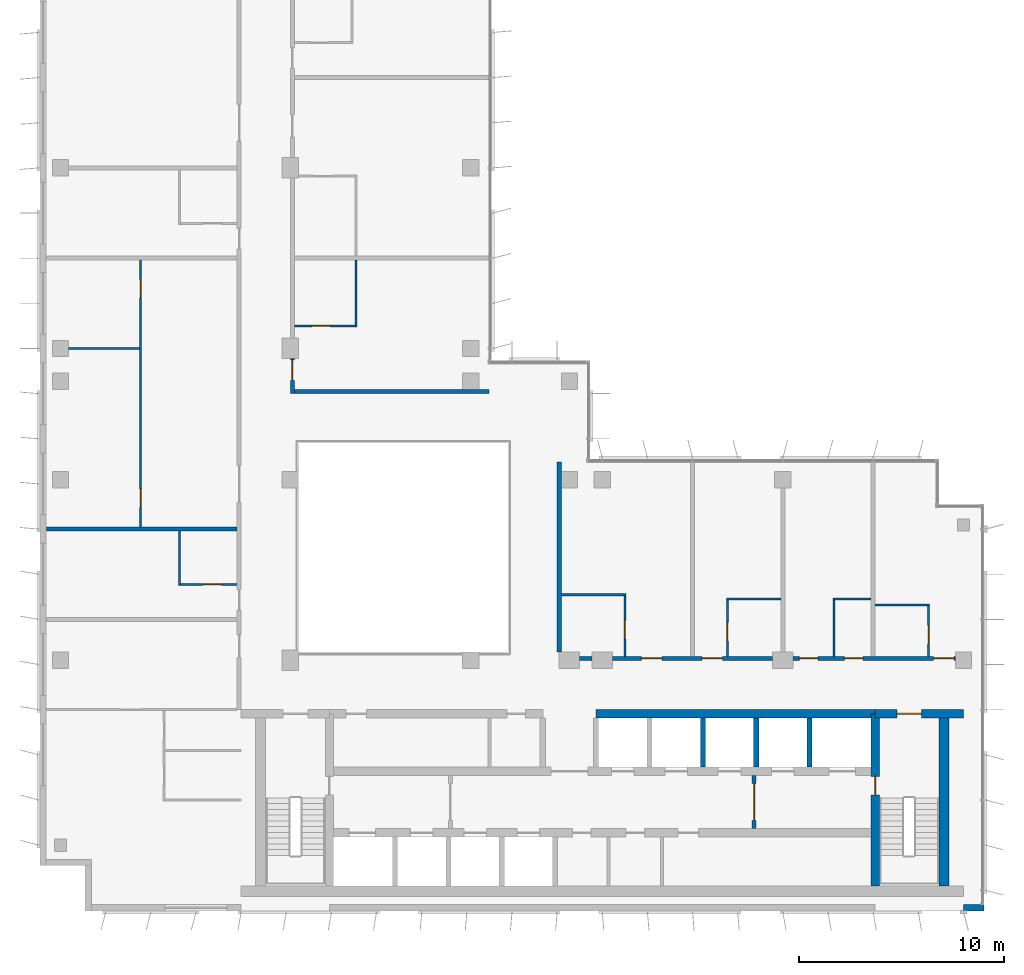
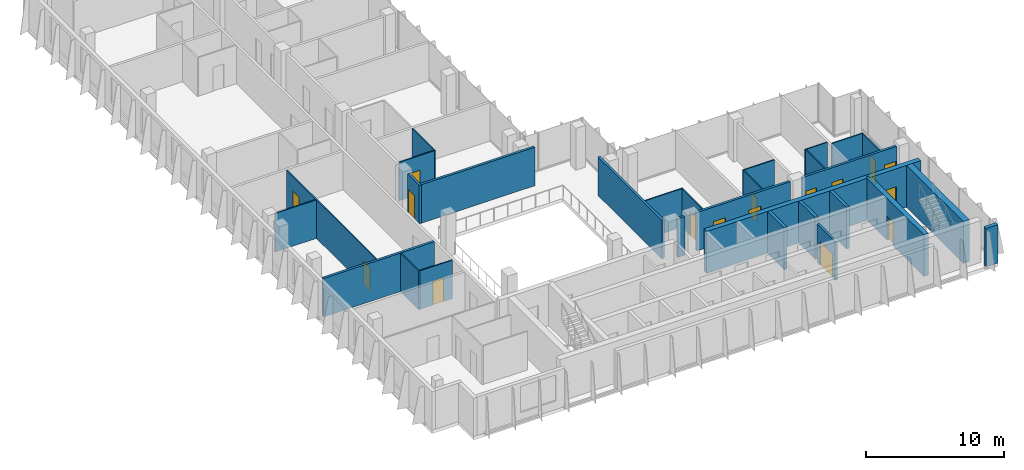
# One storey, part 10 of 15: 30 walls, 16 doors, 16 openings.
"""IFC4 building model written with IfcOpenShell, lengths in metres."""

from ifc_helpers import new_model, si_unit, direction, frame, frame_2d, origin, place, context, subcontext, project, spatial, rectangle, extrude, material, layer, layer_set, type_object, element, fill, save


model = new_model("IFC4")

# Units and contexts
model_context = context("Model", 3, precision=1e-05, world=origin(), true_north=direction((0.0, 1.0)))
body_context = subcontext(model_context, "Body", "Model", "MODEL_VIEW")
ifc_project = project(units=[si_unit("LENGTHUNIT", "METRE"), si_unit("AREAUNIT", "SQUARE_METRE"), si_unit("VOLUMEUNIT", "CUBIC_METRE"), si_unit("PLANEANGLEUNIT", "RADIAN"), si_unit("MASSUNIT", "GRAM", prefix="KILO")], contexts=[model_context])

# Site, building, storey
site_placement = place(None, origin())
site = spatial("IfcSite", under=ifc_project, at=site_placement, CompositionType="ELEMENT")
building_placement = place(site_placement, origin())
building = spatial("IfcBuilding", under=site, at=building_placement, Name="Kemantara Hotel Tower", CompositionType="ELEMENT")
storey_placement = place(building_placement, frame((0.0, 0.0, 279.60009765625)))
storey = spatial("IfcBuildingStorey", under=building, at=storey_placement, Name="L70", CompositionType="ELEMENT", Elevation=279.60009765625)

# Walls
ifc_material_1 = material(Name="Bronze anodised aluminium cladding on insulated steel stud wall", Category="steel")
ifc_layer_1 = layer(ifc_material_1, 0.300048828125)
ifc_layer_set_1 = layer_set([ifc_layer_1], Name="Bronze anodised aluminium cladding on insulated steel stud wall")
wall_type_1 = type_object("IfcWallType", Name="BRONZE METAL-CLAD EXTERNAL WALL 300", PredefinedType="STANDARD", material=ifc_layer_set_1)
wall_1_placement = place(storey_placement, frame((45.0, 0.14990234375, 0.0), z_axis=(0.0, 0.0, 1.0), x_axis=(1.0, 0.0, 0.0)))
element("IfcWall", 1, at=wall_1_placement, inside=storey, type_object=wall_type_1, Name="EXTERNAL WALL L70 T4-R08-3", PredefinedType="STANDARD", context=body_context, shape_type="SweptSolid", body=[
    extrude(rectangle(XDim=1.0, YDim=0.300048828125, at=frame_2d((0.5, 0.0))), origin(), (0.0, 0.0, 1.0), 3.39990234375),
])
ifc_material_2 = material(Name="Concrete fc 50 MPa", Category="concrete")
ifc_layer_2 = layer(ifc_material_2, 0.25)
ifc_layer_set_2 = layer_set([ifc_layer_2], Name="Concrete fc 50 MPa")
wall_type_2 = type_object("IfcWallType", Name="CORE WALL 250 FC50", PredefinedType="SHEAR", material=ifc_layer_set_2)
for number, where, z_axis, x_axis, name in (
    (2, (32.300048828125, 7.0, 0.0), (0.0, 0.0, 1.0), (0.0, 1.0, 0.0), "CORE WALL CW-DN32.3"),
    (3, (34.89990234375, 7.0, 0.0), (0.0, 0.0, 1.0), (0.0, 1.0, 0.0), "CORE WALL CW-DN34.9"),
    (4, (37.5, 7.0, 0.0), (0.0, 0.0, 1.0), (0.0, 1.0, 0.0), "CORE WALL CW-DN37.5"),
):
    element("IfcWall", number, at=place(storey_placement, frame(where, z_axis=z_axis, x_axis=x_axis)), inside=storey, type_object=wall_type_2, Name=name, PredefinedType="SHEAR", context=body_context, shape_type="SweptSolid", body=[
        extrude(rectangle(XDim=2.39990234375, YDim=0.25, at=frame_2d((1.199951171875, 0.0))), origin(), (0.0, 0.0, 1.0), 3.699951171875),
    ])

# Wall, opening, door
ifc_layer_3 = layer(ifc_material_2, 0.39990234375)
ifc_layer_set_3 = layer_set([ifc_layer_3], Name="Concrete fc 50 MPa")
wall_type_3 = type_object("IfcWallType", Name="CORE WALL 400 FC50", PredefinedType="SHEAR", material=ifc_layer_set_3)
wall_2_placement = place(storey_placement, frame((40.699951171875, 9.60009765625, 0.0), z_axis=(0.0, 0.0, 1.0), x_axis=(1.0, 0.0, 0.0)))
wall_2 = element("IfcWall", 5, at=wall_2_placement, inside=storey, type_object=wall_type_3, Name="CORE WALL CW-N2", PredefinedType="SHEAR", context=body_context, shape_type="SweptSolid", body=[
    extrude(rectangle(XDim=4.300048828125, YDim=0.39990234375, at=frame_2d((2.14990234375, 0.0))), origin(), (0.0, 0.0, 1.0), 3.699951171875),
])
opening_1_placement = place(wall_2_placement, frame((1.050048828125, 0.0, 0.0)))
opening_1 = element("IfcOpeningElement", 6, at=opening_1_placement, cuts=wall_2, Name="Opening C40-ST2-C", PredefinedType="OPENING", context=body_context, shape_type="SweptSolid", body=[
    extrude(rectangle(XDim=1.199951171875, YDim=2.10009765625, at=frame_2d((0.60009765625, 1.050048828125))), frame((0.0, 0.2099609375, 0.0), z_axis=(0.0, -1.0, 0.0), x_axis=(1.0, 0.0, 0.0)), (0.0, 0.0, 1.0), 0.419921875),
])
ifc_material_3 = material(Name="Steel fire door", Category="steel")
door_type_1 = type_object("IfcDoorType", Name="Fire door FD90 1200 x 2100", OperationType="NOTDEFINED", PredefinedType="DOOR", material=ifc_material_3)
door_1_placement = place(opening_1_placement, frame((1.199951171875, 0.0, 0.0), z_axis=(0.0, 0.0, 1.0), x_axis=(-1.0, 0.0, 0.0)))
door_1 = element("IfcDoor", 7, at=door_1_placement, inside=storey, type_object=door_type_1, Name="Stair ST2 door to corridor", OperationType="SINGLE_SWING_RIGHT", OverallHeight=2.10009765625, OverallWidth=1.199951171875, PredefinedType="DOOR", context=body_context, shape_type="SweptSolid", body=[
    extrude(rectangle(XDim=1.199951171875, YDim=2.10009765625, at=frame_2d((0.60009765625, 1.050048828125))), frame((0.0, 0.02490234375, 0.0), z_axis=(0.0, -1.0, 0.0), x_axis=(1.0, 0.0, 0.0)), (0.0, 0.0, 1.0), 0.050048828125),
])
fill(opening_1, door_1)

# Wall
wall_3_placement = place(storey_placement, frame((27.10009765625, 9.60009765625, 0.0), z_axis=(0.0, 0.0, 1.0), x_axis=(1.0, 0.0, 0.0)))
element("IfcWall", 8, at=wall_3_placement, inside=storey, type_object=wall_type_3, Name="CORE WALL CW-NN2", PredefinedType="SHEAR", context=body_context, shape_type="SweptSolid", body=[
    extrude(rectangle(XDim=13.599853515625, YDim=0.39990234375, at=frame_2d((6.7998046875, 0.0))), origin(), (0.0, 0.0, 1.0), 3.699951171875),
])

# Wall, opening, door
wall_4_placement = place(storey_placement, frame((40.699951171875, 1.199951171875, 0.0), z_axis=(0.0, 0.0, 1.0), x_axis=(0.0, 1.0, 0.0)))
wall_4 = element("IfcWall", 9, at=wall_4_placement, inside=storey, type_object=wall_type_3, Name="CORE WALL CW-ST2W", PredefinedType="SHEAR", context=body_context, shape_type="SweptSolid", body=[
    extrude(rectangle(XDim=8.400146484375, YDim=0.39990234375, at=frame_2d((4.2001953125, 0.0))), origin(), (0.0, 0.0, 1.0), 3.699951171875),
])
opening_2_placement = place(wall_4_placement, frame((4.449951171875, 0.0, 0.0)))
opening_2 = element("IfcOpeningElement", 10, at=opening_2_placement, cuts=wall_4, Name="Opening C40-ST2-F", PredefinedType="OPENING", context=body_context, shape_type="SweptSolid", body=[
    extrude(rectangle(XDim=0.89990234375, YDim=2.10009765625, at=frame_2d((0.449951171875, 1.050048828125))), frame((0.0, 0.2099609375, 0.0), z_axis=(0.0, -1.0, 0.0), x_axis=(1.0, 0.0, 0.0)), (0.0, 0.0, 1.0), 0.419921875),
])
door_type_2 = type_object("IfcDoorType", Name="Fire door FD90 900 x 2100", OperationType="NOTDEFINED", PredefinedType="DOOR", material=ifc_material_3)
door_2_placement = place(opening_2_placement, frame((0.89990234375, 0.0, 0.0), z_axis=(0.0, 0.0, 1.0), x_axis=(-1.0, 0.0, 0.0)))
door_2 = element("IfcDoor", 11, at=door_2_placement, inside=storey, type_object=door_type_2, Name="Stair ST2 door to firefighting lobby", OperationType="SINGLE_SWING_LEFT", OverallHeight=2.10009765625, OverallWidth=0.89990234375, PredefinedType="DOOR", context=body_context, shape_type="SweptSolid", body=[
    extrude(rectangle(XDim=0.89990234375, YDim=2.10009765625, at=frame_2d((0.449951171875, 1.050048828125))), frame((0.0, 0.02490234375, 0.0), z_axis=(0.0, -1.0, 0.0), x_axis=(1.0, 0.0, 0.0)), (0.0, 0.0, 1.0), 0.050048828125),
])
fill(opening_2, door_2)

# Walls
ifc_layer_4 = layer(ifc_material_2, 0.5)
ifc_layer_set_4 = layer_set([ifc_layer_4], Name="Concrete fc 50 MPa")
wall_type_4 = type_object("IfcWallType", Name="CORE WALL 500 FC50", PredefinedType="SHEAR", material=ifc_layer_set_4)
wall_5_placement = place(storey_placement, frame((44.050048828125, 1.199951171875, 0.0), z_axis=(0.0, 0.0, 1.0), x_axis=(0.0, 1.0, 0.0)))
element("IfcWall", 12, at=wall_5_placement, inside=storey, type_object=wall_type_4, Name="CORE WALL CW-E", PredefinedType="SHEAR", context=body_context, shape_type="SweptSolid", body=[
    extrude(rectangle(XDim=8.60009765625, YDim=0.5, at=frame_2d((4.300048828125, 0.0))), origin(), (0.0, 0.0, 1.0), 3.699951171875),
])
ifc_material_4 = material(Name="Gypsum board partition, steel studs and mineral wool, 200 mm", Category="steel")
ifc_layer_5 = layer(ifc_material_4, 0.199951171875)
ifc_layer_set_5 = layer_set([ifc_layer_5], Name="Gypsum board partition, steel studs and mineral wool, 200 mm")
wall_type_5 = type_object("IfcWallType", Name="CORRIDOR WALL 200", PredefinedType="PARTITIONING", material=ifc_layer_set_5)
wall_6_placement = place(storey_placement, frame((26.300048828125, 12.300048828125, 0.0), z_axis=(0.0, 0.0, 1.0), x_axis=(1.0, 0.0, 0.0)))
element("IfcWall", 13, at=wall_6_placement, inside=storey, type_object=wall_type_5, Name="CORRIDOR WALL 200 001", PredefinedType="PARTITIONING", context=body_context, shape_type="SweptSolid", body=[
    extrude(rectangle(XDim=0.599853515625, YDim=0.199951171875, at=frame_2d((0.2998046875, 0.0))), origin(), (0.0, 0.0, 1.0), 3.39990234375),
])

# Wall, openings, doors
wall_7_placement = place(storey_placement, frame((27.900146484375, 12.300048828125, 0.0), z_axis=(0.0, 0.0, 1.0), x_axis=(1.0, 0.0, 0.0)))
wall_7 = element("IfcWall", 14, at=wall_7_placement, inside=storey, type_object=wall_type_5, Name="CORRIDOR WALL 200 002", PredefinedType="PARTITIONING", context=body_context, shape_type="SweptSolid", body=[
    extrude(rectangle(XDim=7.7998046875, YDim=0.199951171875, at=frame_2d((3.89990234375, 0.0))), origin(), (0.0, 0.0, 1.0), 3.39990234375),
])
opening_3_placement = place(wall_7_placement, frame((1.39990234375, 0.0, 0.0)))
opening_3 = element("IfcOpeningElement", 15, at=opening_3_placement, cuts=wall_7, Name="Opening F34-001", PredefinedType="OPENING", context=body_context, shape_type="SweptSolid", body=[
    extrude(rectangle(XDim=1.0, YDim=2.10009765625, at=frame_2d((0.5, 1.050048828125))), frame((0.0, 0.10986328125, 0.0), z_axis=(0.0, -1.0, 0.0), x_axis=(1.0, 0.0, 0.0)), (0.0, 0.0, 1.0), 0.219970703125),
])
opening_4_placement = place(wall_7_placement, frame((4.349853515625, 0.0, 0.0)))
opening_4 = element("IfcOpeningElement", 16, at=opening_4_placement, cuts=wall_7, Name="Opening F34-003", PredefinedType="OPENING", context=body_context, shape_type="SweptSolid", body=[
    extrude(rectangle(XDim=1.0, YDim=2.10009765625, at=frame_2d((0.5, 1.050048828125))), frame((0.0, 0.10986328125, 0.0), z_axis=(0.0, -1.0, 0.0), x_axis=(1.0, 0.0, 0.0)), (0.0, 0.0, 1.0), 0.219970703125),
])
ifc_material_5 = material(Name="Hardwood veneer door leaf with steel frame", Category="steel")
door_type_3 = type_object("IfcDoorType", Name="GUEST ROOM DOOR 1000 X 2100 FD30S", OperationType="NOTDEFINED", PredefinedType="DOOR", material=ifc_material_5)
door_3_placement = place(opening_3_placement, origin())
door_3 = element("IfcDoor", 17, at=door_3_placement, inside=storey, type_object=door_type_3, Name="GUEST ROOM DOOR F34-001", OperationType="SINGLE_SWING_RIGHT", OverallHeight=2.10009765625, OverallWidth=1.0, PredefinedType="DOOR", context=body_context, shape_type="SweptSolid", body=[
    extrude(rectangle(XDim=1.0, YDim=2.10009765625, at=frame_2d((0.5, 1.050048828125))), frame((0.0, 0.02490234375, 0.0), z_axis=(0.0, -1.0, 0.0), x_axis=(1.0, 0.0, 0.0)), (0.0, 0.0, 1.0), 0.050048828125),
])
fill(opening_3, door_3)
door_4_placement = place(opening_4_placement, origin())
door_4 = element("IfcDoor", 18, at=door_4_placement, inside=storey, type_object=door_type_3, Name="GUEST ROOM DOOR F34-003", OperationType="SINGLE_SWING_LEFT", OverallHeight=2.10009765625, OverallWidth=1.0, PredefinedType="DOOR", context=body_context, shape_type="SweptSolid", body=[
    extrude(rectangle(XDim=1.0, YDim=2.10009765625, at=frame_2d((0.5, 1.050048828125))), frame((0.0, 0.02490234375, 0.0), z_axis=(0.0, -1.0, 0.0), x_axis=(1.0, 0.0, 0.0)), (0.0, 0.0, 1.0), 0.050048828125),
])
fill(opening_4, door_4)

wall_8_placement = place(storey_placement, frame((36.7001953125, 12.300048828125, 0.0), z_axis=(0.0, 0.0, 1.0), x_axis=(1.0, 0.0, 0.0)))
wall_8 = element("IfcWall", 19, at=wall_8_placement, inside=storey, type_object=wall_type_5, Name="CORRIDOR WALL 200 003", PredefinedType="PARTITIONING", context=body_context, shape_type="SweptSolid", body=[
    extrude(rectangle(XDim=7.899658203125, YDim=0.199951171875, at=frame_2d((3.94970703125, 0.0))), origin(), (0.0, 0.0, 1.0), 3.39990234375),
])
opening_5_placement = place(wall_8_placement, frame((0.2998046875, 0.0, 0.0)))
opening_5 = element("IfcOpeningElement", 20, at=opening_5_placement, cuts=wall_8, Name="Opening F34-005", PredefinedType="OPENING", context=body_context, shape_type="SweptSolid", body=[
    extrude(rectangle(XDim=0.89990234375, YDim=2.10009765625, at=frame_2d((0.449951171875, 1.050048828125))), frame((0.0, 0.10986328125, 0.0), z_axis=(0.0, -1.0, 0.0), x_axis=(1.0, 0.0, 0.0)), (0.0, 0.0, 1.0), 0.219970703125),
])
opening_6_placement = place(wall_8_placement, frame((2.5, 0.0, 0.0)))
opening_6 = element("IfcOpeningElement", 21, at=opening_6_placement, cuts=wall_8, Name="Opening F34-006", PredefinedType="OPENING", context=body_context, shape_type="SweptSolid", body=[
    extrude(rectangle(XDim=0.89990234375, YDim=2.10009765625, at=frame_2d((0.449951171875, 1.050048828125))), frame((0.0, 0.10986328125, 0.0), z_axis=(0.0, -1.0, 0.0), x_axis=(1.0, 0.0, 0.0)), (0.0, 0.0, 1.0), 0.219970703125),
])
opening_7_placement = place(wall_8_placement, frame((6.849853515625, 0.0, 0.0)))
opening_7 = element("IfcOpeningElement", 22, at=opening_7_placement, cuts=wall_8, Name="Opening F34-007", PredefinedType="OPENING", context=body_context, shape_type="SweptSolid", body=[
    extrude(rectangle(XDim=1.0, YDim=2.10009765625, at=frame_2d((0.5, 1.050048828125))), frame((0.0, 0.10986328125, 0.0), z_axis=(0.0, -1.0, 0.0), x_axis=(1.0, 0.0, 0.0)), (0.0, 0.0, 1.0), 0.219970703125),
])
door_5_placement = place(opening_7_placement, origin())
door_5 = element("IfcDoor", 23, at=door_5_placement, inside=storey, type_object=door_type_3, Name="GUEST ROOM DOOR F34-007", OperationType="SINGLE_SWING_RIGHT", OverallHeight=2.10009765625, OverallWidth=1.0, PredefinedType="DOOR", context=body_context, shape_type="SweptSolid", body=[
    extrude(rectangle(XDim=1.0, YDim=2.10009765625, at=frame_2d((0.5, 1.050048828125))), frame((0.0, 0.02490234375, 0.0), z_axis=(0.0, -1.0, 0.0), x_axis=(1.0, 0.0, 0.0)), (0.0, 0.0, 1.0), 0.050048828125),
])
fill(opening_7, door_5)
ifc_material_6 = material(Name="Steel door leaf with steel frame", Category="steel")
door_type_4 = type_object("IfcDoorType", Name="SERVICE ROOM DOOR 900 X 2100 FD60", OperationType="NOTDEFINED", PredefinedType="DOOR", material=ifc_material_6)
door_6_placement = place(opening_5_placement, origin())
door_6 = element("IfcDoor", 24, at=door_6_placement, inside=storey, type_object=door_type_4, Name="SERVICE ROOM DOOR F34-005", OperationType="SINGLE_SWING_LEFT", OverallHeight=2.10009765625, OverallWidth=0.89990234375, PredefinedType="DOOR", context=body_context, shape_type="SweptSolid", body=[
    extrude(rectangle(XDim=0.89990234375, YDim=2.10009765625, at=frame_2d((0.449951171875, 1.050048828125))), frame((0.0, 0.02490234375, 0.0), z_axis=(0.0, -1.0, 0.0), x_axis=(1.0, 0.0, 0.0)), (0.0, 0.0, 1.0), 0.050048828125),
])
fill(opening_5, door_6)
door_7_placement = place(opening_6_placement, origin())
door_7 = element("IfcDoor", 25, at=door_7_placement, inside=storey, type_object=door_type_4, Name="SERVICE ROOM DOOR F34-006", OperationType="SINGLE_SWING_RIGHT", OverallHeight=2.10009765625, OverallWidth=0.89990234375, PredefinedType="DOOR", context=body_context, shape_type="SweptSolid", body=[
    extrude(rectangle(XDim=0.89990234375, YDim=2.10009765625, at=frame_2d((0.449951171875, 1.050048828125))), frame((0.0, 0.02490234375, 0.0), z_axis=(0.0, -1.0, 0.0), x_axis=(1.0, 0.0, 0.0)), (0.0, 0.0, 1.0), 0.050048828125),
])
fill(opening_6, door_7)

# Wall, opening, door
wall_9_placement = place(storey_placement, frame((12.300048828125, 26.89990234375, 0.0), z_axis=(0.0, 0.0, 1.0), x_axis=(0.0, -1.0, 0.0)))
wall_9 = element("IfcWall", 26, at=wall_9_placement, inside=storey, type_object=wall_type_5, Name="CORRIDOR WALL 200 017", PredefinedType="PARTITIONING", context=body_context, shape_type="SweptSolid", body=[
    extrude(rectangle(XDim=1.699951171875, YDim=0.199951171875, at=frame_2d((0.85009765625, 0.0))), origin(), (0.0, 0.0, 1.0), 3.39990234375),
])
opening_8_placement = place(wall_9_placement, frame((0.0498046875, 0.0, 0.0)))
opening_8 = element("IfcOpeningElement", 27, at=opening_8_placement, cuts=wall_9, Name="Opening F34-024", PredefinedType="OPENING", context=body_context, shape_type="SweptSolid", body=[
    extrude(rectangle(XDim=1.0, YDim=2.10009765625, at=frame_2d((0.5, 1.050048828125))), frame((0.0, 0.10986328125, 0.0), z_axis=(0.0, -1.0, 0.0), x_axis=(1.0, 0.0, 0.0)), (0.0, 0.0, 1.0), 0.219970703125),
])
door_8_placement = place(opening_8_placement, origin())
door_8 = element("IfcDoor", 28, at=door_8_placement, inside=storey, type_object=door_type_3, Name="GUEST ROOM DOOR F34-024", OperationType="SINGLE_SWING_RIGHT", OverallHeight=2.10009765625, OverallWidth=1.0, PredefinedType="DOOR", context=body_context, shape_type="SweptSolid", body=[
    extrude(rectangle(XDim=1.0, YDim=2.10009765625, at=frame_2d((0.5, 1.050048828125))), frame((0.0, 0.02490234375, 0.0), z_axis=(0.0, -1.0, 0.0), x_axis=(1.0, 0.0, 0.0)), (0.0, 0.0, 1.0), 0.050048828125),
])
fill(opening_8, door_8)

# Walls
ifc_layer_6 = layer(ifc_material_4, 0.199951171875)
ifc_layer_set_6 = layer_set([ifc_layer_6], Name="Gypsum board partition, steel studs and mineral wool, 200 mm")
wall_type_6 = type_object("IfcWallType", Name="GUEST ROOM PARTY WALL 200", PredefinedType="PARTITIONING", material=ifc_layer_set_6)
wall_10_placement = place(storey_placement, frame((25.300048828125, 12.60009765625, 0.0), z_axis=(0.0, 0.0, 1.0), x_axis=(0.0, 1.0, 0.0)))
element("IfcWall", 29, at=wall_10_placement, inside=storey, type_object=wall_type_6, Name="GUEST ROOM PARTY WALL 200 004", PredefinedType="PARTITIONING", context=body_context, shape_type="SweptSolid", body=[
    extrude(rectangle(XDim=9.27001953125, YDim=0.199951171875, at=frame_2d((4.635009765625, 0.0))), origin(), (0.0, 0.0, 1.0), 3.39990234375),
])
wall_11_placement = place(storey_placement, frame((0.31005859375, 18.60009765625, 0.0), z_axis=(0.0, 0.0, 1.0), x_axis=(1.0, 0.0, 0.0)))
element("IfcWall", 30, at=wall_11_placement, inside=storey, type_object=wall_type_6, Name="GUEST ROOM PARTY WALL 200 011", PredefinedType="PARTITIONING", context=body_context, shape_type="SweptSolid", body=[
    extrude(rectangle(XDim=9.2900390625, YDim=0.199951171875, at=frame_2d((4.64501953125, 0.0))), origin(), (0.0, 0.0, 1.0), 3.39990234375),
])
wall_12_placement = place(storey_placement, frame((12.39990234375, 25.300048828125, 0.0), z_axis=(0.0, 0.0, 1.0), x_axis=(1.0, 0.0, 0.0)))
element("IfcWall", 31, at=wall_12_placement, inside=storey, type_object=wall_type_6, Name="GUEST ROOM PARTY WALL 200 022", PredefinedType="PARTITIONING", context=body_context, shape_type="SweptSolid", body=[
    extrude(rectangle(XDim=9.47021484375, YDim=0.199951171875, at=frame_2d((4.735107421875, 0.0))), origin(), (0.0, 0.0, 1.0), 3.39990234375),
])

# Wall, opening, door
ifc_material_7 = material(Name="Gypsum board shaft wall")
ifc_layer_7 = layer(ifc_material_7, 0.199951171875)
ifc_layer_set_7 = layer_set([ifc_layer_7], Name="Gypsum board shaft wall")
wall_type_7 = type_object("IfcWallType", Name="Gypsum board shaft wall 200 mm", PredefinedType="PARTITIONING", material=ifc_layer_set_7)
wall_13_placement = place(storey_placement, frame((34.800048828125, 4.0, 0.0), z_axis=(0.0, 0.0, 1.0), x_axis=(0.0, 1.0, 0.0)))
wall_13 = element("IfcWall", 32, at=wall_13_placement, inside=storey, type_object=wall_type_7, Name="Firefighting lobby partition east", PredefinedType="PARTITIONING", context=body_context, shape_type="SweptSolid", body=[
    extrude(rectangle(XDim=2.60009765625, YDim=0.199951171875, at=frame_2d((1.300048828125, 0.0))), origin(), (0.0, 0.0, 1.0), 3.39990234375),
])
opening_9_placement = place(wall_13_placement, frame((0.39990234375, 0.0, 0.0)))
opening_9 = element("IfcOpeningElement", 33, at=opening_9_placement, cuts=wall_13, Name="Opening C40-FFE", PredefinedType="OPENING", context=body_context, shape_type="SweptSolid", body=[
    extrude(rectangle(XDim=1.800048828125, YDim=2.10009765625, at=frame_2d((0.89990234375, 1.050048828125))), frame((0.0, 0.10986328125, 0.0), z_axis=(0.0, -1.0, 0.0), x_axis=(1.0, 0.0, 0.0)), (0.0, 0.0, 1.0), 0.219970703125),
])
door_type_5 = type_object("IfcDoorType", Name="Fire door pair FD60 1800 x 2100", OperationType="DOUBLE_DOOR_SINGLE_SWING", PredefinedType="DOOR", material=ifc_material_3)
door_9_placement = place(opening_9_placement, frame((1.800048828125, 0.0, 0.0), z_axis=(0.0, 0.0, 1.0), x_axis=(-1.0, 0.0, 0.0)))
door_9 = element("IfcDoor", 34, at=door_9_placement, inside=storey, type_object=door_type_5, Name="Firefighting lobby door east", OperationType="DOUBLE_DOOR_SINGLE_SWING", OverallHeight=2.10009765625, OverallWidth=1.800048828125, PredefinedType="DOOR", context=body_context, shape_type="SweptSolid", body=[
    extrude(rectangle(XDim=1.800048828125, YDim=2.10009765625, at=frame_2d((0.89990234375, 1.050048828125))), frame((0.0, 0.02490234375, 0.0), z_axis=(0.0, -1.0, 0.0), x_axis=(1.0, 0.0, 0.0)), (0.0, 0.0, 1.0), 0.050048828125),
])
fill(opening_9, door_9)

# Wall
ifc_material_8 = material(Name="Gypsum board partition on steel studs, 100 mm", Category="steel")
ifc_layer_8 = layer(ifc_material_8, 0.10009765625)
ifc_layer_set_8 = layer_set([ifc_layer_8], Name="Gypsum board partition on steel studs, 100 mm")
wall_type_8 = type_object("IfcWallType", Name="ROOM PARTITION 100", PredefinedType="PARTITIONING", material=ifc_layer_set_8)
wall_14_placement = place(storey_placement, frame((25.39990234375, 15.39990234375, 0.0), z_axis=(0.0, 0.0, 1.0), x_axis=(1.0, 0.0, 0.0)))
element("IfcWall", 35, at=wall_14_placement, inside=storey, type_object=wall_type_8, Name="ROOM PARTITION 100 025", PredefinedType="PARTITIONING", context=body_context, shape_type="SweptSolid", body=[
    extrude(rectangle(XDim=3.150146484375, YDim=0.10009765625, at=frame_2d((1.5751953125, 0.0))), origin(), (0.0, 0.0, 1.0), 3.39990234375),
])

# Wall, opening, door
wall_15_placement = place(storey_placement, frame((28.5, 12.39990234375, 0.0), z_axis=(0.0, 0.0, 1.0), x_axis=(0.0, 1.0, 0.0)))
wall_15 = element("IfcWall", 36, at=wall_15_placement, inside=storey, type_object=wall_type_8, Name="ROOM PARTITION 100 026", PredefinedType="PARTITIONING", context=body_context, shape_type="SweptSolid", body=[
    extrude(rectangle(XDim=2.9501953125, YDim=0.10009765625, at=frame_2d((1.47509765625, 0.0))), origin(), (0.0, 0.0, 1.0), 3.39990234375),
])
opening_10_placement = place(wall_15_placement, frame((0.85009765625, 0.0, 0.0)))
opening_10 = element("IfcOpeningElement", 37, at=opening_10_placement, cuts=wall_15, Name="Opening F34-002", PredefinedType="OPENING", context=body_context, shape_type="SweptSolid", body=[
    extrude(rectangle(XDim=0.89990234375, YDim=2.10009765625, at=frame_2d((0.449951171875, 1.050048828125))), frame((0.0, 0.06005859375, 0.0), z_axis=(0.0, -1.0, 0.0), x_axis=(1.0, 0.0, 0.0)), (0.0, 0.0, 1.0), 0.1201171875),
])
door_type_6 = type_object("IfcDoorType", Name="BATHROOM DOOR 900 X 2100", OperationType="NOTDEFINED", PredefinedType="DOOR", material=ifc_material_5)
door_10_placement = place(opening_10_placement, origin())
door_10 = element("IfcDoor", 38, at=door_10_placement, inside=storey, type_object=door_type_6, Name="BATHROOM DOOR F34-002", OperationType="SINGLE_SWING_LEFT", OverallHeight=2.10009765625, OverallWidth=0.89990234375, PredefinedType="DOOR", context=body_context, shape_type="SweptSolid", body=[
    extrude(rectangle(XDim=0.89990234375, YDim=2.10009765625, at=frame_2d((0.449951171875, 1.050048828125))), frame((0.0, 0.02490234375, 0.0), z_axis=(0.0, -1.0, 0.0), x_axis=(1.0, 0.0, 0.0)), (0.0, 0.0, 1.0), 0.050048828125),
])
fill(opening_10, door_10)

# Walls
wall_16_placement = place(storey_placement, frame((33.449951171875, 15.199951171875, 0.0), z_axis=(0.0, 0.0, 1.0), x_axis=(1.0, 0.0, 0.0)))
element("IfcWall", 39, at=wall_16_placement, inside=storey, type_object=wall_type_8, Name="ROOM PARTITION 100 027", PredefinedType="PARTITIONING", context=body_context, shape_type="SweptSolid", body=[
    extrude(rectangle(XDim=2.650146484375, YDim=0.10009765625, at=frame_2d((1.3251953125, 0.0))), origin(), (0.0, 0.0, 1.0), 3.39990234375),
])
wall_17_placement = place(storey_placement, frame((38.64990234375, 15.199951171875, 0.0), z_axis=(0.0, 0.0, 1.0), x_axis=(1.0, 0.0, 0.0)))
element("IfcWall", 40, at=wall_17_placement, inside=storey, type_object=wall_type_8, Name="ROOM PARTITION 100 028", PredefinedType="PARTITIONING", context=body_context, shape_type="SweptSolid", body=[
    extrude(rectangle(XDim=1.85009765625, YDim=0.10009765625, at=frame_2d((0.925048828125, 0.0))), origin(), (0.0, 0.0, 1.0), 3.39990234375),
])

# Wall, opening, door
wall_18_placement = place(storey_placement, frame((33.5, 15.14990234375, 0.0), z_axis=(0.0, 0.0, 1.0), x_axis=(0.0, -1.0, 0.0)))
wall_18 = element("IfcWall", 41, at=wall_18_placement, inside=storey, type_object=wall_type_8, Name="ROOM PARTITION 100 029", PredefinedType="PARTITIONING", context=body_context, shape_type="SweptSolid", body=[
    extrude(rectangle(XDim=2.75, YDim=0.10009765625, at=frame_2d((1.375, 0.0))), origin(), (0.0, 0.0, 1.0), 3.39990234375),
])
opening_11_placement = place(wall_18_placement, frame((1.10009765625, 0.0, 0.0)))
opening_11 = element("IfcOpeningElement", 42, at=opening_11_placement, cuts=wall_18, Name="Opening F34-004", PredefinedType="OPENING", context=body_context, shape_type="SweptSolid", body=[
    extrude(rectangle(XDim=0.89990234375, YDim=2.10009765625, at=frame_2d((0.449951171875, 1.050048828125))), frame((0.0, 0.06005859375, 0.0), z_axis=(0.0, -1.0, 0.0), x_axis=(1.0, 0.0, 0.0)), (0.0, 0.0, 1.0), 0.1201171875),
])
door_11_placement = place(opening_11_placement, origin())
door_11 = element("IfcDoor", 43, at=door_11_placement, inside=storey, type_object=door_type_6, Name="BATHROOM DOOR F34-004", OperationType="SINGLE_SWING_RIGHT", OverallHeight=2.10009765625, OverallWidth=0.89990234375, PredefinedType="DOOR", context=body_context, shape_type="SweptSolid", body=[
    extrude(rectangle(XDim=0.89990234375, YDim=2.10009765625, at=frame_2d((0.449951171875, 1.050048828125))), frame((0.0, 0.02490234375, 0.0), z_axis=(0.0, -1.0, 0.0), x_axis=(1.0, 0.0, 0.0)), (0.0, 0.0, 1.0), 0.050048828125),
])
fill(opening_11, door_11)

# Walls
wall_19_placement = place(storey_placement, frame((38.699951171875, 12.39990234375, 0.0), z_axis=(0.0, 0.0, 1.0), x_axis=(0.0, 1.0, 0.0)))
element("IfcWall", 44, at=wall_19_placement, inside=storey, type_object=wall_type_8, Name="ROOM PARTITION 100 030", PredefinedType="PARTITIONING", context=body_context, shape_type="SweptSolid", body=[
    extrude(rectangle(XDim=2.75, YDim=0.10009765625, at=frame_2d((1.375, 0.0))), origin(), (0.0, 0.0, 1.0), 3.39990234375),
])
wall_20_placement = place(storey_placement, frame((40.699951171875, 14.89990234375, 0.0), z_axis=(0.0, 0.0, 1.0), x_axis=(1.0, 0.0, 0.0)))
element("IfcWall", 45, at=wall_20_placement, inside=storey, type_object=wall_type_8, Name="ROOM PARTITION 100 031", PredefinedType="PARTITIONING", context=body_context, shape_type="SweptSolid", body=[
    extrude(rectangle(XDim=2.650146484375, YDim=0.10009765625, at=frame_2d((1.3251953125, 0.0))), origin(), (0.0, 0.0, 1.0), 3.39990234375),
])

# Wall, opening, door
wall_21_placement = place(storey_placement, frame((43.300048828125, 12.39990234375, 0.0), z_axis=(0.0, 0.0, 1.0), x_axis=(0.0, 1.0, 0.0)))
wall_21 = element("IfcWall", 46, at=wall_21_placement, inside=storey, type_object=wall_type_8, Name="ROOM PARTITION 100 032", PredefinedType="PARTITIONING", context=body_context, shape_type="SweptSolid", body=[
    extrude(rectangle(XDim=2.4501953125, YDim=0.10009765625, at=frame_2d((1.22509765625, 0.0))), origin(), (0.0, 0.0, 1.0), 3.39990234375),
])
opening_12_placement = place(wall_21_placement, frame((0.60009765625, 0.0, 0.0)))
opening_12 = element("IfcOpeningElement", 47, at=opening_12_placement, cuts=wall_21, Name="Opening F34-008", PredefinedType="OPENING", context=body_context, shape_type="SweptSolid", body=[
    extrude(rectangle(XDim=0.89990234375, YDim=2.10009765625, at=frame_2d((0.449951171875, 1.050048828125))), frame((0.0, 0.06005859375, 0.0), z_axis=(0.0, -1.0, 0.0), x_axis=(1.0, 0.0, 0.0)), (0.0, 0.0, 1.0), 0.1201171875),
])
door_12_placement = place(opening_12_placement, origin())
door_12 = element("IfcDoor", 48, at=door_12_placement, inside=storey, type_object=door_type_6, Name="BATHROOM DOOR F34-008", OperationType="SINGLE_SWING_LEFT", OverallHeight=2.10009765625, OverallWidth=0.89990234375, PredefinedType="DOOR", context=body_context, shape_type="SweptSolid", body=[
    extrude(rectangle(XDim=0.89990234375, YDim=2.10009765625, at=frame_2d((0.449951171875, 1.050048828125))), frame((0.0, 0.02490234375, 0.0), z_axis=(0.0, -1.0, 0.0), x_axis=(1.0, 0.0, 0.0)), (0.0, 0.0, 1.0), 0.050048828125),
])
fill(opening_12, door_12)

# Wall
wall_22_placement = place(storey_placement, frame((6.800048828125, 15.85009765625, 0.0), z_axis=(0.0, 0.0, 1.0), x_axis=(0.0, 1.0, 0.0)))
element("IfcWall", 49, at=wall_22_placement, inside=storey, type_object=wall_type_8, Name="ROOM PARTITION 100 037", PredefinedType="PARTITIONING", context=body_context, shape_type="SweptSolid", body=[
    extrude(rectangle(XDim=2.64990234375, YDim=0.10009765625, at=frame_2d((1.324951171875, 0.0))), origin(), (0.0, 0.0, 1.0), 3.39990234375),
])

# Wall, opening, door
wall_23_placement = place(storey_placement, frame((6.85009765625, 15.89990234375, 0.0), z_axis=(0.0, 0.0, 1.0), x_axis=(1.0, 0.0, 0.0)))
wall_23 = element("IfcWall", 50, at=wall_23_placement, inside=storey, type_object=wall_type_8, Name="ROOM PARTITION 100 039", PredefinedType="PARTITIONING", context=body_context, shape_type="SweptSolid", body=[
    extrude(rectangle(XDim=2.75, YDim=0.10009765625, at=frame_2d((1.375, 0.0))), origin(), (0.0, 0.0, 1.0), 3.39990234375),
])
opening_13_placement = place(wall_23_placement, frame((1.10009765625, 0.0, 0.0)))
opening_13 = element("IfcOpeningElement", 51, at=opening_13_placement, cuts=wall_23, Name="Opening F34-014", PredefinedType="OPENING", context=body_context, shape_type="SweptSolid", body=[
    extrude(rectangle(XDim=0.89990234375, YDim=2.10009765625, at=frame_2d((0.449951171875, 1.050048828125))), frame((0.0, 0.06005859375, 0.0), z_axis=(0.0, -1.0, 0.0), x_axis=(1.0, 0.0, 0.0)), (0.0, 0.0, 1.0), 0.1201171875),
])
door_13_placement = place(opening_13_placement, origin())
door_13 = element("IfcDoor", 52, at=door_13_placement, inside=storey, type_object=door_type_6, Name="BATHROOM DOOR F34-014", OperationType="SINGLE_SWING_RIGHT", OverallHeight=2.10009765625, OverallWidth=0.89990234375, PredefinedType="DOOR", context=body_context, shape_type="SweptSolid", body=[
    extrude(rectangle(XDim=0.89990234375, YDim=2.10009765625, at=frame_2d((0.449951171875, 1.050048828125))), frame((0.0, 0.02490234375, 0.0), z_axis=(0.0, -1.0, 0.0), x_axis=(1.0, 0.0, 0.0)), (0.0, 0.0, 1.0), 0.050048828125),
])
fill(opening_13, door_13)

# Wall, openings, doors
wall_24_placement = place(storey_placement, frame((4.89990234375, 18.699951171875, 0.0), z_axis=(0.0, 0.0, 1.0), x_axis=(0.0, 1.0, 0.0)))
wall_24 = element("IfcWall", 53, at=wall_24_placement, inside=storey, type_object=wall_type_8, Name="ROOM PARTITION 100 040", PredefinedType="PARTITIONING", context=body_context, shape_type="SweptSolid", body=[
    extrude(rectangle(XDim=13.0, YDim=0.10009765625, at=frame_2d((6.5, 0.0))), origin(), (0.0, 0.0, 1.0), 3.39990234375),
])
opening_14_placement = place(wall_24_placement, frame((0.949951171875, 0.0, 0.0)))
opening_14 = element("IfcOpeningElement", 54, at=opening_14_placement, cuts=wall_24, Name="Opening F34-016", PredefinedType="OPENING", context=body_context, shape_type="SweptSolid", body=[
    extrude(rectangle(XDim=0.89990234375, YDim=2.10009765625, at=frame_2d((0.449951171875, 1.050048828125))), frame((0.0, 0.06005859375, 0.0), z_axis=(0.0, -1.0, 0.0), x_axis=(1.0, 0.0, 0.0)), (0.0, 0.0, 1.0), 0.1201171875),
])
opening_15_placement = place(wall_24_placement, frame((11.14990234375, 0.0, 0.0)))
opening_15 = element("IfcOpeningElement", 55, at=opening_15_placement, cuts=wall_24, Name="Opening F34-017", PredefinedType="OPENING", context=body_context, shape_type="SweptSolid", body=[
    extrude(rectangle(XDim=0.89990234375, YDim=2.10009765625, at=frame_2d((0.449951171875, 1.050048828125))), frame((0.0, 0.06005859375, 0.0), z_axis=(0.0, -1.0, 0.0), x_axis=(1.0, 0.0, 0.0)), (0.0, 0.0, 1.0), 0.1201171875),
])
door_type_7 = type_object("IfcDoorType", Name="INTERNAL DOOR 900 X 2100", OperationType="NOTDEFINED", PredefinedType="DOOR", material=ifc_material_5)
door_14_placement = place(opening_14_placement, origin())
door_14 = element("IfcDoor", 56, at=door_14_placement, inside=storey, type_object=door_type_7, Name="INTERNAL DOOR F34-016", OperationType="SINGLE_SWING_LEFT", OverallHeight=2.10009765625, OverallWidth=0.89990234375, PredefinedType="DOOR", context=body_context, shape_type="SweptSolid", body=[
    extrude(rectangle(XDim=0.89990234375, YDim=2.10009765625, at=frame_2d((0.449951171875, 1.050048828125))), frame((0.0, 0.02490234375, 0.0), z_axis=(0.0, -1.0, 0.0), x_axis=(1.0, 0.0, 0.0)), (0.0, 0.0, 1.0), 0.050048828125),
])
fill(opening_14, door_14)
door_15_placement = place(opening_15_placement, origin())
door_15 = element("IfcDoor", 57, at=door_15_placement, inside=storey, type_object=door_type_7, Name="INTERNAL DOOR F34-017", OperationType="SINGLE_SWING_RIGHT", OverallHeight=2.10009765625, OverallWidth=0.89990234375, PredefinedType="DOOR", context=body_context, shape_type="SweptSolid", body=[
    extrude(rectangle(XDim=0.89990234375, YDim=2.10009765625, at=frame_2d((0.449951171875, 1.050048828125))), frame((0.0, 0.02490234375, 0.0), z_axis=(0.0, -1.0, 0.0), x_axis=(1.0, 0.0, 0.0)), (0.0, 0.0, 1.0), 0.050048828125),
])
fill(opening_15, door_15)

# Walls
wall_25_placement = place(storey_placement, frame((1.400146484375, 27.39990234375, 0.0), z_axis=(0.0, 0.0, 1.0), x_axis=(1.0, 0.0, 0.0)))
element("IfcWall", 58, at=wall_25_placement, inside=storey, type_object=wall_type_8, Name="ROOM PARTITION 100 041", PredefinedType="PARTITIONING", context=body_context, shape_type="SweptSolid", body=[
    extrude(rectangle(XDim=3.449951171875, YDim=0.10009765625, at=frame_2d((1.72509765625, 0.0))), origin(), (0.0, 0.0, 1.0), 3.39990234375),
])
wall_26_placement = place(storey_placement, frame((15.39990234375, 28.449951171875, 0.0), z_axis=(0.0, 0.0, 1.0), x_axis=(0.0, 1.0, 0.0)))
element("IfcWall", 59, at=wall_26_placement, inside=storey, type_object=wall_type_8, Name="ROOM PARTITION 100 048", PredefinedType="PARTITIONING", context=body_context, shape_type="SweptSolid", body=[
    extrude(rectangle(XDim=3.25, YDim=0.10009765625, at=frame_2d((1.625, 0.0))), origin(), (0.0, 0.0, 1.0), 3.39990234375),
])

# Wall, opening, door
wall_27_placement = place(storey_placement, frame((12.39990234375, 28.5, 0.0), z_axis=(0.0, 0.0, 1.0), x_axis=(1.0, 0.0, 0.0)))
wall_27 = element("IfcWall", 60, at=wall_27_placement, inside=storey, type_object=wall_type_8, Name="ROOM PARTITION 100 050", PredefinedType="PARTITIONING", context=body_context, shape_type="SweptSolid", body=[
    extrude(rectangle(XDim=2.9501953125, YDim=0.10009765625, at=frame_2d((1.47509765625, 0.0))), origin(), (0.0, 0.0, 1.0), 3.39990234375),
])
opening_16_placement = place(wall_27_placement, frame((0.85009765625, 0.0, 0.0)))
opening_16 = element("IfcOpeningElement", 61, at=opening_16_placement, cuts=wall_27, Name="Opening F34-025", PredefinedType="OPENING", context=body_context, shape_type="SweptSolid", body=[
    extrude(rectangle(XDim=0.89990234375, YDim=2.10009765625, at=frame_2d((0.449951171875, 1.050048828125))), frame((0.0, 0.06005859375, 0.0), z_axis=(0.0, -1.0, 0.0), x_axis=(1.0, 0.0, 0.0)), (0.0, 0.0, 1.0), 0.1201171875),
])
door_16_placement = place(opening_16_placement, origin())
door_16 = element("IfcDoor", 62, at=door_16_placement, inside=storey, type_object=door_type_6, Name="BATHROOM DOOR F34-025", OperationType="SINGLE_SWING_LEFT", OverallHeight=2.10009765625, OverallWidth=0.89990234375, PredefinedType="DOOR", context=body_context, shape_type="SweptSolid", body=[
    extrude(rectangle(XDim=0.89990234375, YDim=2.10009765625, at=frame_2d((0.449951171875, 1.050048828125))), frame((0.0, 0.02490234375, 0.0), z_axis=(0.0, -1.0, 0.0), x_axis=(1.0, 0.0, 0.0)), (0.0, 0.0, 1.0), 0.050048828125),
])
fill(opening_16, door_16)

save(model, "model.ifc")
